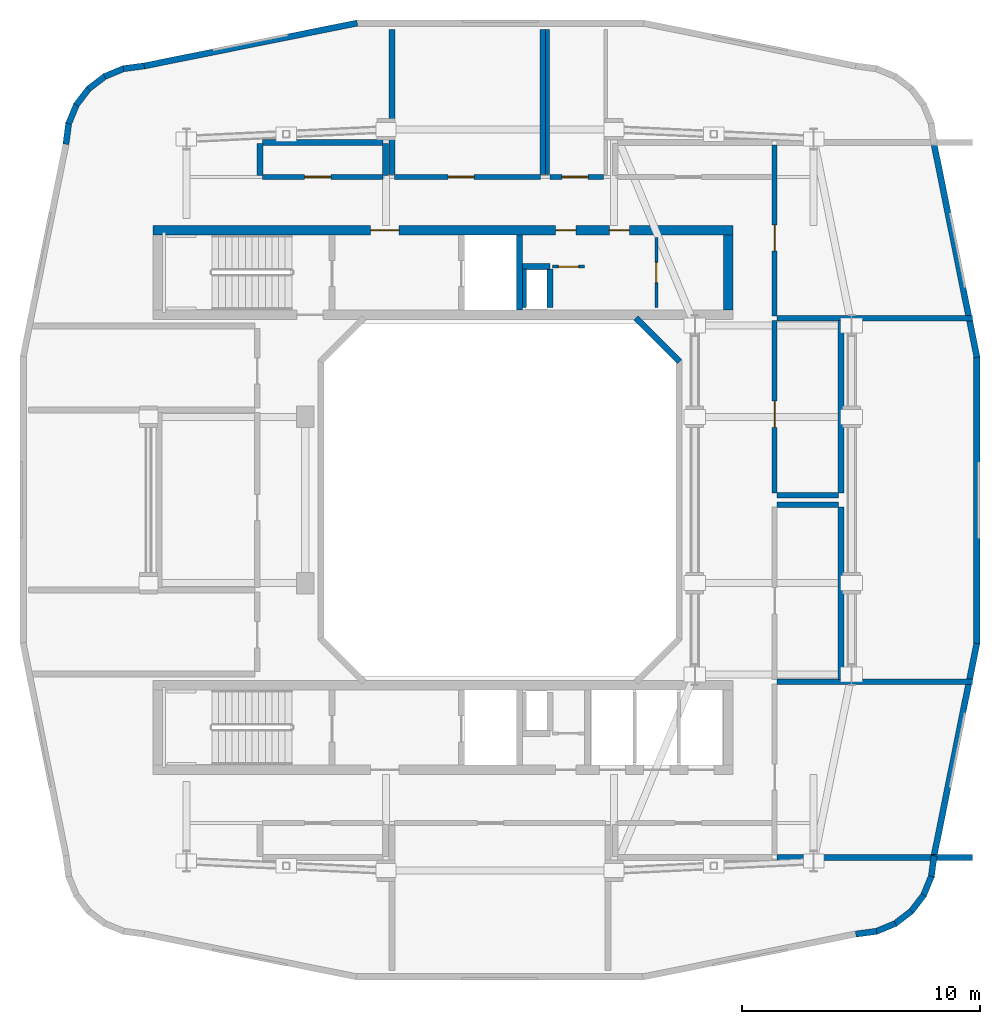
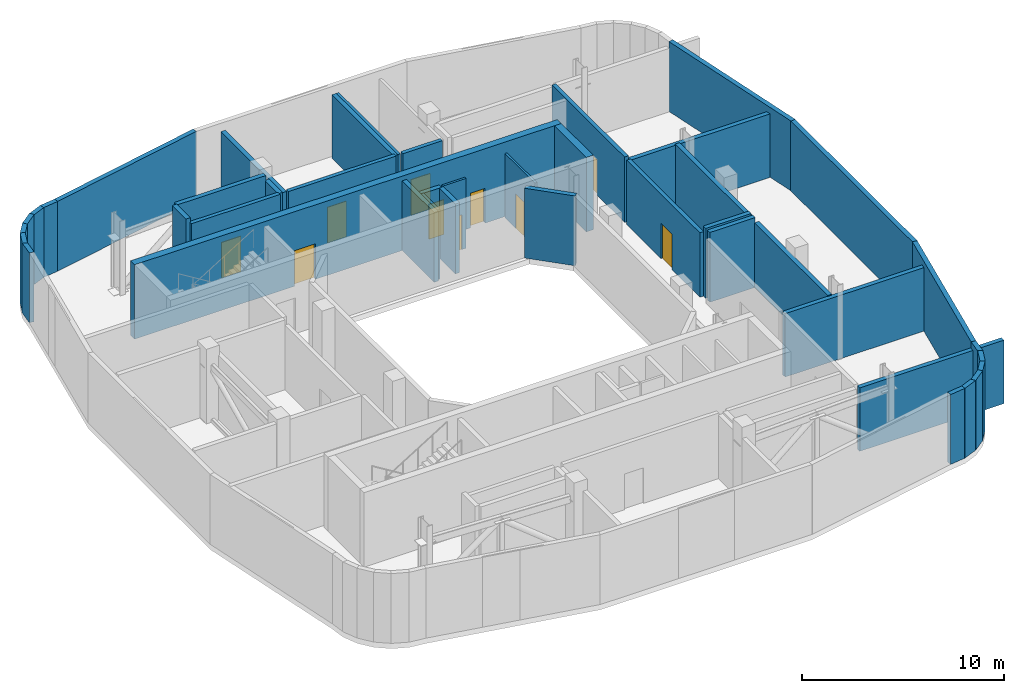
# One storey, part 5 of 9: 43 walls, 10 doors, 10 openings.
"""IFC4 building model written with IfcOpenShell, lengths in metres."""

import ifcopenshell
import ifcopenshell.guid

model = None  # the IFC model being written
_history = None  # IfcOwnerHistory: only IFC2X3 demands one
_inside = {}  # id of a spatial element -> (the spatial element, [elements in it])
_under = {}  # id of a project, library or spatial element -> (it, [spatial elements below it])
_declared = {}  # id of a project -> (the project, [libraries it declares])
_typed = {}  # id of a type object -> (the type object, [elements of that type])
_made_of = {}  # id of a material, layer set ... -> (it, [elements and type objects made of it])


def new_model(schema):
    """Start an empty IFC model of exactly this schema.

    Asked for "IFC4X3", IfcOpenShell would pick the latest addendum, in which some entities
    have other attributes; the version numbers below select the first issue.
    IFC2X3 requires an IfcOwnerHistory on every rooted entity: one is made here for all.
    """
    global model, _history
    if schema == "IFC4X3":
        model = ifcopenshell.file(schema_version=(4, 3, 0, 0))
    else:
        model = ifcopenshell.file(schema=schema)
    _inside.clear()
    _under.clear()
    _declared.clear()
    _typed.clear()
    _made_of.clear()
    _history = None
    if model.schema == "IFC2X3":
        org = make("IfcOrganization", Name="unknown")
        user = make(
            "IfcPersonAndOrganization",
            ThePerson=make("IfcPerson", FamilyName="unknown"),
            TheOrganization=org,
        )
        app = make(
            "IfcApplication",
            ApplicationDeveloper=org,
            Version="unknown",
            ApplicationFullName="unknown",
            ApplicationIdentifier="unknown",
        )
        _history = make(
            "IfcOwnerHistory",
            OwningUser=user,
            OwningApplication=app,
            ChangeAction="ADDED",
            CreationDate=0,
        )
    return model


def make(cls, **values):
    """One entity of the class cls with the attributes given. An attribute that is None is left unset."""
    return model.create_entity(
        cls, **{name: value for name, value in values.items() if value is not None}
    )


def rooted(cls, **values):
    """An entity with a GlobalId (a new one), such as an element, a storey or a relation."""
    return make(cls, GlobalId=ifcopenshell.guid.new(), OwnerHistory=_history, **values)


def si_unit(unit_type, name, prefix=None):
    """IfcSIUnit, for example si_unit("LENGTHUNIT", "METRE", prefix="MILLI")."""
    return make("IfcSIUnit", UnitType=unit_type, Prefix=prefix, Name=name)


def derived_unit(unit_type, elements):
    """IfcDerivedUnit: a product of units, each with its exponent."""
    return make(
        "IfcDerivedUnit",
        Elements=[
            make("IfcDerivedUnitElement", Unit=unit, Exponent=power)
            for unit, power in elements
        ],
        UnitType=unit_type,
    )


def assignment(units):
    """IfcUnitAssignment: the units of a project."""
    return None if units is None else make("IfcUnitAssignment", Units=units)


def point(xyz):
    """IfcCartesianPoint."""
    return None if xyz is None else make("IfcCartesianPoint", Coordinates=xyz)


def direction(xyz):
    """IfcDirection."""
    return None if xyz is None else make("IfcDirection", DirectionRatios=xyz)


def frame(location, z_axis=None, x_axis=None):
    """IfcAxis2Placement3D, a coordinate frame: its origin and axes. An axis left out is left unset."""
    return make(
        "IfcAxis2Placement3D",
        Location=point(location),
        Axis=direction(z_axis),
        RefDirection=direction(x_axis),
    )


def frame_2d(location, x_axis=None):
    """IfcAxis2Placement2D, a coordinate frame in the plane: its origin and x axis."""
    return make(
        "IfcAxis2Placement2D", Location=point(location), RefDirection=direction(x_axis)
    )


def origin():
    """The frame at (0, 0, 0) with its axes left unset."""
    return frame((0.0, 0.0, 0.0))


def place(relative_to, where):
    """IfcLocalPlacement: puts the frame where relative to a parent placement (None: the world)."""
    return make(
        "IfcLocalPlacement", PlacementRelTo=relative_to, RelativePlacement=where
    )


def context(
    kind, dimensions, precision=None, world=None, true_north=None, identifier=None
):
    """IfcGeometricRepresentationContext, for example the 3D "Model" context."""
    return make(
        "IfcGeometricRepresentationContext",
        ContextIdentifier=identifier,
        ContextType=kind,
        CoordinateSpaceDimension=dimensions,
        Precision=precision,
        WorldCoordinateSystem=world,
        TrueNorth=true_north,
    )


def subcontext(parent, identifier, kind, view, scale=None):
    """IfcGeometricRepresentationSubContext, for example "Body" below "Model"."""
    return make(
        "IfcGeometricRepresentationSubContext",
        ContextIdentifier=identifier,
        ContextType=kind,
        ParentContext=parent,
        TargetScale=scale,
        TargetView=view,
    )


def project(units=None, contexts=None):
    """IfcProject with its units and contexts."""
    return rooted(
        "IfcProject",
        Name="project",
        RepresentationContexts=contexts,
        UnitsInContext=assignment(units),
    )


def spatial(cls, under=None, at=None, **own):
    """A site, building, storey or space (cls), placed at a placement, below another one or the project."""
    s = rooted(cls, ObjectPlacement=at, **own)
    if under is not None:
        _under.setdefault(under.id(), (under, []))[1].append(s)
    return s


def profile(cls, at=None, kind="AREA", **sizes):
    """A parametric profile (cls). Its sizes go by their IFC names, for example OverallWidth=200.0."""
    return make(cls, ProfileType=kind, Position=at, **sizes)


def rectangle(**sizes):
    """IfcRectangleProfileDef."""
    return profile("IfcRectangleProfileDef", **sizes)


def extrude(swept, where, along, depth):
    """IfcExtrudedAreaSolid: the profile swept, set in the frame where, extruded along a direction by depth."""
    return make(
        "IfcExtrudedAreaSolid",
        SweptArea=swept,
        Position=where,
        ExtrudedDirection=direction(along),
        Depth=depth,
    )


def shape(context_of_items, identifier, shape_type, items):
    """IfcShapeRepresentation: the items that make up one representation, for example the "Body"."""
    return make(
        "IfcShapeRepresentation",
        ContextOfItems=context_of_items,
        RepresentationIdentifier=identifier,
        RepresentationType=shape_type,
        Items=items,
    )


def material(Name=None, Category=None):
    """IfcMaterial."""
    return make("IfcMaterial", Name=Name, Category=Category)


def layer(
    of_material, thickness, ventilated=None, Name=None, Category=None, Priority=None
):
    """IfcMaterialLayer: one layer of a wall or slab, of a material (None: an air gap)."""
    return make(
        "IfcMaterialLayer",
        Material=of_material,
        LayerThickness=thickness,
        IsVentilated=ventilated,
        Name=Name,
        Category=Category,
        Priority=Priority,
    )


def layer_set(layers, Name=None):
    """IfcMaterialLayerSet."""
    return make("IfcMaterialLayerSet", MaterialLayers=layers, LayerSetName=Name)


def made_of(thing, what):
    """Note that an element or type object is made of a material, layer set ...; save() writes the relation."""
    if what is not None:
        _made_of.setdefault(what.id(), (what, []))[1].append(thing)
    return thing


def type_object(cls, material=None, **own):
    """A type object (cls), such as IfcWallType, which elements share."""
    return made_of(rooted(cls, **own), material)


def element(
    cls,
    number,
    at=None,
    inside=None,
    cuts=None,
    type_object=None,
    material=None,
    context=None,
    identifier="Body",
    shape_type=None,
    held_by="IfcProductDefinitionShape",
    body=None,
    shapes=None,
    **own,
):
    """One element of the class cls, such as IfcWall. Its Tag is "e" and its number.

    at: its placement. inside: the storey or other place that contains it. cuts: it is an
    opening in that element (IfcRelVoidsElement). A single representation is given by context,
    identifier, shape_type and body (its items); several are given by shapes. held_by: the class
    of the entity that holds the representations. save() writes the other relations.
    """
    e = rooted(cls, Tag="e%d" % number, ObjectPlacement=at, **own)
    if body is not None:
        shapes = [shape(context, identifier, shape_type, body)]
    if shapes is not None:
        e.Representation = make(held_by, Representations=shapes)
    if inside is not None:
        _inside.setdefault(inside.id(), (inside, []))[1].append(e)
    if cuts is not None:
        rooted(
            "IfcRelVoidsElement", RelatingBuildingElement=cuts, RelatedOpeningElement=e
        )
    if type_object is not None:
        _typed.setdefault(type_object.id(), (type_object, []))[1].append(e)
    return made_of(e, material)


def fill(opening, filler):
    """IfcRelFillsElement: the door or window that sits in an opening."""
    return rooted(
        "IfcRelFillsElement",
        RelatingOpeningElement=opening,
        RelatedBuildingElement=filler,
    )


def aggregate(whole, parts):
    """IfcRelAggregates: a whole, such as a stair, and the parts it consists of."""
    return rooted("IfcRelAggregates", RelatingObject=whole, RelatedObjects=parts)


def save(model, path):
    """Write the relations noted so far, then the file.

    IfcRelAggregates (storeys below a building ...), IfcRelContainedInSpatialStructure (elements
    in a storey), IfcRelDefinesByType, IfcRelAssociatesMaterial and IfcRelDeclares: one each for
    every whole, place, type object, material and project.
    """
    for whole, parts in _under.values():
        aggregate(whole, parts)
    for where, things in _inside.values():
        rooted(
            "IfcRelContainedInSpatialStructure",
            RelatedElements=things,
            RelatingStructure=where,
        )
    for kind, things in _typed.values():
        rooted("IfcRelDefinesByType", RelatedObjects=things, RelatingType=kind)
    for what, things in _made_of.values():
        rooted("IfcRelAssociatesMaterial", RelatedObjects=things, RelatingMaterial=what)
    for by, libraries in _declared.values():
        rooted("IfcRelDeclares", RelatingContext=by, RelatedDefinitions=libraries)
    model.write(path)


model = new_model("IFC4")

# Units and contexts
model_context = context("Model", 3, precision=1e-05, world=origin(), true_north=direction((0.0, 1.0)))
body_context = subcontext(model_context, "Body", "Model", "MODEL_VIEW")
ifc_project = project(units=[si_unit("LENGTHUNIT", "METRE"), si_unit("AREAUNIT", "SQUARE_METRE"), si_unit("VOLUMEUNIT", "CUBIC_METRE"), si_unit("PLANEANGLEUNIT", "RADIAN"), si_unit("MASSUNIT", "GRAM", prefix="KILO"), derived_unit("THERMALTRANSMITTANCEUNIT", [(si_unit("POWERUNIT", "WATT"), 1), (si_unit("LENGTHUNIT", "METRE"), -2), (si_unit("THERMODYNAMICTEMPERATUREUNIT", "KELVIN"), -1)])], contexts=[model_context])

# Site, building, storey
site_placement = place(None, origin())
site = spatial("IfcSite", under=ifc_project, at=site_placement, CompositionType="ELEMENT")
building_placement = place(site_placement, origin())
building = spatial("IfcBuilding", under=site, at=building_placement, Name="Kivonza Crest Hotel", CompositionType="ELEMENT")
storey_placement = place(building_placement, frame((0.0, 0.0, 173.0)))
storey = spatial("IfcBuildingStorey", under=building, at=storey_placement, Name="L47", CompositionType="ELEMENT", Elevation=173.0)

# Wall, opening, door
ifc_material_1 = material(Name="Autoclaved aerated concrete blockwork", Category="masonry")
ifc_layer_1 = layer(ifc_material_1, 0.219970703125)
ifc_layer_set_1 = layer_set([ifc_layer_1], Name="Autoclaved aerated concrete blockwork")
wall_type_1 = type_object("IfcWallType", Name="WL-ACOU-220", PredefinedType="SOLIDWALL", material=ifc_layer_set_1)
wall_1_placement = place(storey_placement, frame((16.550048828125, 38.60009765625, 0.0), z_axis=(0.0, 0.0, 1.0), x_axis=(1.0, 0.0, 0.0)))
wall_1 = element("IfcWall", 1, at=wall_1_placement, inside=storey, type_object=wall_type_1, Name="L47 interior partition WA-L47-REF-N-S", PredefinedType="SOLIDWALL", context=body_context, shape_type="SweptSolid", body=[
    extrude(rectangle(XDim=6.14990234375, YDim=0.219970703125, at=frame_2d((3.074951171875, 0.0))), origin(), (0.0, 0.0, 1.0), 3.955078125),
])
opening_1_placement = place(wall_1_placement, frame((2.262939453125, 0.0, 0.0)))
opening_1 = element("IfcOpeningElement", 2, at=opening_1_placement, cuts=wall_1, Name="Opening DF-120", PredefinedType="OPENING", context=body_context, shape_type="SweptSolid", body=[
    extrude(rectangle(XDim=1.10009765625, YDim=2.14990234375, at=frame_2d((0.550048828125, 1.074951171875))), frame((0.0, 0.1201171875, 0.0), z_axis=(0.0, -1.0, 0.0), x_axis=(1.0, 0.0, 0.0)), (0.0, 0.0, 1.0), 0.239990234375),
])
ifc_material_2 = material(Name="Galvanised steel", Category="steel")
door_type_1 = type_object("IfcDoorType", Name="DR-FD120-1100", OperationType="NOTDEFINED", PredefinedType="DOOR", material=ifc_material_2)
door_1_placement = place(opening_1_placement, origin())
door_1 = element("IfcDoor", 3, at=door_1_placement, inside=storey, type_object=door_type_1, Name="L47 North Protected Refuge Area door", OperationType="SINGLE_SWING_LEFT", OverallHeight=2.14990234375, OverallWidth=1.10009765625, PredefinedType="DOOR", context=body_context, shape_type="SweptSolid", body=[
    extrude(rectangle(XDim=1.10009765625, YDim=2.14990234375, at=frame_2d((0.550048828125, 1.074951171875))), frame((0.0, 0.02490234375, 0.0), z_axis=(0.0, -1.0, 0.0), x_axis=(1.0, 0.0, 0.0)), (0.0, 0.0, 1.0), 0.050048828125),
])
fill(opening_1, door_1)

wall_2_placement = place(storey_placement, frame((23.10009765625, 38.60009765625, 0.0), z_axis=(0.0, 0.0, 1.0), x_axis=(1.0, 0.0, 0.0)))
wall_2 = element("IfcWall", 4, at=wall_2_placement, inside=storey, type_object=wall_type_1, Name="L47 interior partition WA-L47-REF-WC-S", PredefinedType="SOLIDWALL", context=body_context, shape_type="SweptSolid", body=[
    extrude(rectangle(XDim=2.25, YDim=0.219970703125, at=frame_2d((1.125, 0.0))), origin(), (0.0, 0.0, 1.0), 3.955078125),
])
opening_2_placement = place(wall_2_placement, frame((0.507080078125, 0.0, 0.0)))
opening_2 = element("IfcOpeningElement", 5, at=opening_2_placement, cuts=wall_2, Name="Opening DF-120", PredefinedType="OPENING", context=body_context, shape_type="SweptSolid", body=[
    extrude(rectangle(XDim=1.10009765625, YDim=2.14990234375, at=frame_2d((0.550048828125, 1.074951171875))), frame((0.0, 0.1201171875, 0.0), z_axis=(0.0, -1.0, 0.0), x_axis=(1.0, 0.0, 0.0)), (0.0, 0.0, 1.0), 0.239990234375),
])
door_2_placement = place(opening_2_placement, origin())
door_2 = element("IfcDoor", 6, at=door_2_placement, inside=storey, type_object=door_type_1, Name="L47 Refuge Accessible WC door", OperationType="SINGLE_SWING_RIGHT", OverallHeight=2.14990234375, OverallWidth=1.10009765625, PredefinedType="DOOR", context=body_context, shape_type="SweptSolid", body=[
    extrude(rectangle(XDim=1.10009765625, YDim=2.14990234375, at=frame_2d((0.550048828125, 1.074951171875))), frame((0.0, 0.02490234375, 0.0), z_axis=(0.0, -1.0, 0.0), x_axis=(1.0, 0.0, 0.0)), (0.0, 0.0, 1.0), 0.050048828125),
])
fill(opening_2, door_2)

wall_3_placement = place(storey_placement, frame((11.0, 38.60009765625, 0.0), z_axis=(0.0, 0.0, 1.0), x_axis=(1.0, 0.0, 0.0)))
wall_3 = element("IfcWall", 7, at=wall_3_placement, inside=storey, type_object=wall_type_1, Name="L47 interior partition WA-L47-PL-MNW-S", PredefinedType="SOLIDWALL", context=body_context, shape_type="SweptSolid", body=[
    extrude(rectangle(XDim=5.080078125, YDim=0.219970703125, at=frame_2d((2.5400390625, 0.0))), origin(), (0.0, 0.0, 1.0), 3.955078125),
])
opening_3_placement = place(wall_3_placement, frame((1.781005859375, 0.0, 0.0)))
opening_3 = element("IfcOpeningElement", 8, at=opening_3_placement, cuts=wall_3, Name="Opening DF-120", PredefinedType="OPENING", context=body_context, shape_type="SweptSolid", body=[
    extrude(rectangle(XDim=1.10009765625, YDim=2.14990234375, at=frame_2d((0.550048828125, 1.074951171875))), frame((0.0, 0.1201171875, 0.0), z_axis=(0.0, -1.0, 0.0), x_axis=(1.0, 0.0, 0.0)), (0.0, 0.0, 1.0), 0.239990234375),
])
door_3_placement = place(opening_3_placement, origin())
door_3 = element("IfcDoor", 9, at=door_3_placement, inside=storey, type_object=door_type_1, Name="L47 North-West Exhaust Plant Room door", OperationType="SINGLE_SWING_RIGHT", OverallHeight=2.14990234375, OverallWidth=1.10009765625, PredefinedType="DOOR", context=body_context, shape_type="SweptSolid", body=[
    extrude(rectangle(XDim=1.10009765625, YDim=2.14990234375, at=frame_2d((0.550048828125, 1.074951171875))), frame((0.0, 0.02490234375, 0.0), z_axis=(0.0, -1.0, 0.0), x_axis=(1.0, 0.0, 0.0)), (0.0, 0.0, 1.0), 0.050048828125),
])
fill(opening_3, door_3)

wall_4_placement = place(storey_placement, frame((32.56005859375, 25.300048828125, 0.0), z_axis=(0.0, 0.0, 1.0), x_axis=(0.0, 1.0, 0.0)))
wall_4 = element("IfcWall", 10, at=wall_4_placement, inside=storey, type_object=wall_type_1, Name="L47 interior partition WA-L47-PL-SWG-W", PredefinedType="SOLIDWALL", context=body_context, shape_type="SweptSolid", body=[
    extrude(rectangle(XDim=7.25, YDim=0.219970703125, at=frame_2d((3.625, 0.0))), origin(), (0.0, 0.0, 1.0), 3.89501953125),
])
opening_4_placement = place(wall_4_placement, frame((2.757080078125, 0.0, 0.0)))
opening_4 = element("IfcOpeningElement", 11, at=opening_4_placement, cuts=wall_4, Name="Opening DF-120", PredefinedType="OPENING", context=body_context, shape_type="SweptSolid", body=[
    extrude(rectangle(XDim=1.10009765625, YDim=2.14990234375, at=frame_2d((0.550048828125, 1.074951171875))), frame((0.0, 0.1201171875, 0.0), z_axis=(0.0, -1.0, 0.0), x_axis=(1.0, 0.0, 0.0)), (0.0, 0.0, 1.0), 0.239990234375),
])
door_4_placement = place(opening_4_placement, frame((1.10009765625, 0.0, 0.0), z_axis=(0.0, 0.0, 1.0), x_axis=(-1.0, 0.0, 0.0)))
door_4 = element("IfcDoor", 12, at=door_4_placement, inside=storey, type_object=door_type_1, Name="L47 High-Zone Electrical Switchroom door", OperationType="SINGLE_SWING_RIGHT", OverallHeight=2.14990234375, OverallWidth=1.10009765625, PredefinedType="DOOR", context=body_context, shape_type="SweptSolid", body=[
    extrude(rectangle(XDim=1.10009765625, YDim=2.14990234375, at=frame_2d((0.550048828125, 1.074951171875))), frame((0.0, 0.02490234375, 0.0), z_axis=(0.0, -1.0, 0.0), x_axis=(1.0, 0.0, 0.0)), (0.0, 0.0, 1.0), 0.050048828125),
])
fill(opening_4, door_4)

wall_5_placement = place(storey_placement, frame((32.56005859375, 32.75, 0.0), z_axis=(0.0, 0.0, 1.0), x_axis=(0.0, 1.0, 0.0)))
wall_5 = element("IfcWall", 13, at=wall_5_placement, inside=storey, type_object=wall_type_1, Name="L47 interior partition WA-L47-PL-ESTN-W", PredefinedType="SOLIDWALL", context=body_context, shape_type="SweptSolid", body=[
    extrude(rectangle(XDim=7.199951171875, YDim=0.219970703125, at=frame_2d((3.60009765625, 0.0))), origin(), (0.0, 0.0, 1.0), 3.955078125),
])
opening_5_placement = place(wall_5_placement, frame((2.735107421875, 0.0, 0.0)))
opening_5 = element("IfcOpeningElement", 14, at=opening_5_placement, cuts=wall_5, Name="Opening DF-120", PredefinedType="OPENING", context=body_context, shape_type="SweptSolid", body=[
    extrude(rectangle(XDim=1.10009765625, YDim=2.14990234375, at=frame_2d((0.550048828125, 1.074951171875))), frame((0.0, 0.1201171875, 0.0), z_axis=(0.0, -1.0, 0.0), x_axis=(1.0, 0.0, 0.0)), (0.0, 0.0, 1.0), 0.239990234375),
])
door_5_placement = place(opening_5_placement, frame((1.10009765625, 0.0, 0.0), z_axis=(0.0, 0.0, 1.0), x_axis=(-1.0, 0.0, 0.0)))
door_5 = element("IfcDoor", 15, at=door_5_placement, inside=storey, type_object=door_type_1, Name="L47 North-East Portal Fan Plant Room door", OperationType="SINGLE_SWING_RIGHT", OverallHeight=2.14990234375, OverallWidth=1.10009765625, PredefinedType="DOOR", context=body_context, shape_type="SweptSolid", body=[
    extrude(rectangle(XDim=1.10009765625, YDim=2.14990234375, at=frame_2d((0.550048828125, 1.074951171875))), frame((0.0, 0.02490234375, 0.0), z_axis=(0.0, -1.0, 0.0), x_axis=(1.0, 0.0, 0.0)), (0.0, 0.0, 1.0), 0.050048828125),
])
fill(opening_5, door_5)

# Wall, openings, doors
ifc_material_3 = material(Name="Concrete C50/60", Category="concrete")
ifc_layer_2 = layer(ifc_material_3, 0.39990234375)
ifc_layer_set_2 = layer_set([ifc_layer_2], Name="Concrete C50/60")
wall_type_2 = type_object("IfcWallType", Name="WL-CORE-400", PredefinedType="SHEAR", material=ifc_layer_set_2)
wall_6_placement = place(storey_placement, frame((6.39990234375, 36.360107421875, 0.0), z_axis=(0.0, 0.0, 1.0), x_axis=(1.0, 0.0, 0.0)))
wall_6 = element("IfcWall", 16, at=wall_6_placement, inside=storey, type_object=wall_type_2, Name="Core wall T1-N North L47", PredefinedType="SHEAR", context=body_context, shape_type="SweptSolid", body=[
    extrude(rectangle(XDim=24.400146484375, YDim=0.39990234375, at=frame_2d((12.2001953125, 0.0))), origin(), (0.0, 0.0, 1.0), 4.5),
])
opening_6_placement = place(wall_6_placement, frame((9.14990234375, 0.0, 0.0)))
opening_6 = element("IfcOpeningElement", 17, at=opening_6_placement, cuts=wall_6, Name="Opening DF-60", PredefinedType="OPENING", context=body_context, shape_type="SweptSolid", body=[
    extrude(rectangle(XDim=1.199951171875, YDim=2.14990234375, at=frame_2d((0.60009765625, 1.074951171875))), frame((0.0, 0.2099609375, 0.0), z_axis=(0.0, -1.0, 0.0), x_axis=(1.0, 0.0, 0.0)), (0.0, 0.0, 1.0), 0.419921875),
])
opening_7_placement = place(wall_6_placement, frame((19.199951171875, 0.0, 0.0)))
opening_7 = element("IfcOpeningElement", 18, at=opening_7_placement, cuts=wall_6, Name="Opening DF-60R", PredefinedType="OPENING", context=body_context, shape_type="SweptSolid", body=[
    extrude(rectangle(XDim=0.85009765625, YDim=2.10009765625, at=frame_2d((0.425048828125, 1.050048828125))), frame((0.0, 0.2099609375, 0.0), z_axis=(0.0, -1.0, 0.0), x_axis=(1.0, 0.0, 0.0)), (0.0, 0.0, 1.0), 0.419921875),
])
opening_8_placement = place(wall_6_placement, frame((16.93994140625, 0.0, 0.0)))
opening_8 = element("IfcOpeningElement", 19, at=opening_8_placement, cuts=wall_6, Name="Opening DF-60R", PredefinedType="OPENING", context=body_context, shape_type="SweptSolid", body=[
    extrude(rectangle(XDim=0.85009765625, YDim=2.10009765625, at=frame_2d((0.425048828125, 1.050048828125))), frame((0.0, 0.2099609375, 0.0), z_axis=(0.0, -1.0, 0.0), x_axis=(1.0, 0.0, 0.0)), (0.0, 0.0, 1.0), 0.419921875),
])
ifc_material_4 = material(Name="Hardwood timber oak", Category="wood")
door_type_2 = type_object("IfcDoorType", Name="DR-FD60-1200", OperationType="NOTDEFINED", PredefinedType="DOOR", material=ifc_material_4)
door_6_placement = place(opening_6_placement, origin())
door_6 = element("IfcDoor", 20, at=door_6_placement, inside=storey, type_object=door_type_2, Name="L47 T1-N firefighting lobby fire door", OperationType="SINGLE_SWING_RIGHT", OverallHeight=2.14990234375, OverallWidth=1.199951171875, PredefinedType="DOOR", context=body_context, shape_type="SweptSolid", body=[
    extrude(rectangle(XDim=1.199951171875, YDim=2.14990234375, at=frame_2d((0.60009765625, 1.074951171875))), frame((0.0, 0.02490234375, 0.0), z_axis=(0.0, -1.0, 0.0), x_axis=(1.0, 0.0, 0.0)), (0.0, 0.0, 1.0), 0.050048828125),
])
fill(opening_6, door_6)
door_type_3 = type_object("IfcDoorType", Name="DR-FD60-850", OperationType="NOTDEFINED", PredefinedType="DOOR", material=ifc_material_4)
door_7_placement = place(opening_7_placement, origin())
door_7 = element("IfcDoor", 21, at=door_7_placement, inside=storey, type_object=door_type_3, Name="L47 T1-N reclaimed core service door", OperationType="SINGLE_SWING_LEFT", OverallHeight=2.10009765625, OverallWidth=0.85009765625, PredefinedType="DOOR", context=body_context, shape_type="SweptSolid", body=[
    extrude(rectangle(XDim=0.85009765625, YDim=2.10009765625, at=frame_2d((0.425048828125, 1.050048828125))), frame((0.0, 0.02490234375, 0.0), z_axis=(0.0, -1.0, 0.0), x_axis=(1.0, 0.0, 0.0)), (0.0, 0.0, 1.0), 0.050048828125),
])
fill(opening_7, door_7)
door_8_placement = place(opening_8_placement, origin())
door_8 = element("IfcDoor", 22, at=door_8_placement, inside=storey, type_object=door_type_3, Name="L47 T1-N core room door", OperationType="SINGLE_SWING_RIGHT", OverallHeight=2.10009765625, OverallWidth=0.85009765625, PredefinedType="DOOR", context=body_context, shape_type="SweptSolid", body=[
    extrude(rectangle(XDim=0.85009765625, YDim=2.10009765625, at=frame_2d((0.425048828125, 1.050048828125))), frame((0.0, 0.02490234375, 0.0), z_axis=(0.0, -1.0, 0.0), x_axis=(1.0, 0.0, 0.0)), (0.0, 0.0, 1.0), 0.050048828125),
])
fill(opening_8, door_8)

# Walls
wall_7_placement = place(storey_placement, frame((30.60009765625, 33.0, 0.0), z_axis=(0.0, 0.0, 1.0), x_axis=(0.0, 1.0, 0.0)))
element("IfcWall", 23, at=wall_7_placement, inside=storey, type_object=wall_type_2, Name="Core wall T1-N East L47", PredefinedType="SHEAR", context=body_context, shape_type="SweptSolid", body=[
    extrude(rectangle(XDim=3.159912109375, YDim=0.39990234375, at=frame_2d((1.580078125, 0.0))), origin(), (0.0, 0.0, 1.0), 4.5),
])
ifc_material_5 = material(Name="Precast concrete C40/50", Category="concrete")
ifc_layer_3 = layer(ifc_material_5, 0.260009765625)
ifc_layer_set_3 = layer_set([ifc_layer_3], Name="Precast concrete C40/50")
wall_type_3 = type_object("IfcWallType", Name="WL-EXT-260", PredefinedType="STANDARD", material=ifc_layer_set_3)
wall_8_placement = place(storey_placement, frame((35.97509765625, 6.72802734375, 0.0), z_axis=(0.0, 0.0, 1.0), x_axis=(0.991388484223, 0.130953706898, 0.0)))
element("IfcWall", 24, at=wall_8_placement, inside=storey, type_object=wall_type_3, Name="L47 T1 exterior insulated wall 10", PredefinedType="STANDARD", context=body_context, shape_type="SweptSolid", body=[
    extrude(rectangle(XDim=0.885498046875, YDim=0.260009765625, at=frame_2d((0.44287109375, 0.0))), origin(), (0.0, 0.0, 1.0), 4.219970703125),
])
wall_9_placement = place(storey_placement, frame((36.806884765625, 6.825927734375, 0.0), z_axis=(0.0, 0.0, 1.0), x_axis=(0.923627776508, 0.383290660547, 0.0)))
element("IfcWall", 25, at=wall_9_placement, inside=storey, type_object=wall_type_3, Name="L47 T1 exterior insulated wall 11", PredefinedType="STANDARD", context=body_context, shape_type="SweptSolid", body=[
    extrude(rectangle(XDim=0.9033203125, YDim=0.260009765625, at=frame_2d((0.45166015625, 0.0))), origin(), (0.0, 0.0, 1.0), 4.219970703125),
])
wall_10_placement = place(storey_placement, frame((37.60107421875, 7.14404296875, 0.0), z_axis=(0.0, 0.0, 1.0), x_axis=(0.793458244748, 0.608624690463, 0.0)))
element("IfcWall", 26, at=wall_10_placement, inside=storey, type_object=wall_type_3, Name="L47 T1 exterior insulated wall 12", PredefinedType="STANDARD", context=body_context, shape_type="SweptSolid", body=[
    extrude(rectangle(XDim=0.902099609375, YDim=0.260009765625, at=frame_2d((0.451171875, 0.0))), origin(), (0.0, 0.0, 1.0), 4.219970703125),
])
wall_11_placement = place(storey_placement, frame((38.285888671875, 7.655029296875, 0.0), z_axis=(0.0, 0.0, 1.0), x_axis=(0.608494022858, 0.793558456666, 0.0)))
element("IfcWall", 27, at=wall_11_placement, inside=storey, type_object=wall_type_3, Name="L47 T1 exterior insulated wall 13", PredefinedType="STANDARD", context=body_context, shape_type="SweptSolid", body=[
    extrude(rectangle(XDim=0.90234375, YDim=0.260009765625, at=frame_2d((0.451171875, 0.0))), origin(), (0.0, 0.0, 1.0), 4.219970703125),
])
wall_12_placement = place(storey_placement, frame((38.81396484375, 8.326904296875, 0.0), z_axis=(0.0, 0.0, 1.0), x_axis=(0.383155708213, 0.923683767999, 0.0)))
element("IfcWall", 28, at=wall_12_placement, inside=storey, type_object=wall_type_3, Name="L47 T1 exterior insulated wall 14", PredefinedType="STANDARD", context=body_context, shape_type="SweptSolid", body=[
    extrude(rectangle(XDim=0.90283203125, YDim=0.260009765625, at=frame_2d((0.451416015625, 0.0))), origin(), (0.0, 0.0, 1.0), 4.219970703125),
])
wall_13_placement = place(storey_placement, frame((39.152099609375, 9.112060546875, 0.0), z_axis=(0.0, 0.0, 1.0), x_axis=(0.130200706103, 0.991487658083, 0.0)))
element("IfcWall", 29, at=wall_13_placement, inside=storey, type_object=wall_type_3, Name="L47 T1 exterior insulated wall 15", PredefinedType="STANDARD", context=body_context, shape_type="SweptSolid", body=[
    extrude(rectangle(XDim=0.920654296875, YDim=0.260009765625, at=frame_2d((0.46044921875, 0.0))), origin(), (0.0, 0.0, 1.0), 4.219970703125),
])
wall_14_placement = place(storey_placement, frame((39.27099609375, 10.01806640625, 0.0), z_axis=(0.0, 0.0, 1.0), x_axis=(0.197429077186, 0.980317172899, 0.0)))
element("IfcWall", 30, at=wall_14_placement, inside=storey, type_object=wall_type_3, Name="L47 T1 exterior insulated wall 16", PredefinedType="STANDARD", context=body_context, shape_type="SweptSolid", body=[
    extrude(rectangle(XDim=9.117431640625, YDim=0.260009765625, at=frame_2d((4.55859375, 0.0))), origin(), (0.0, 0.0, 1.0), 4.219970703125),
])
wall_15_placement = place(storey_placement, frame((41.070068359375, 18.9150390625, 0.0), z_axis=(0.0, 0.0, 1.0), x_axis=(0.0, 1.0, 0.0)))
element("IfcWall", 31, at=wall_15_placement, inside=storey, type_object=wall_type_3, Name="L47 T1 exterior insulated wall 17", PredefinedType="STANDARD", context=body_context, shape_type="SweptSolid", body=[
    extrude(rectangle(XDim=12.135009765625, YDim=0.260009765625, at=frame_2d((6.0673828125, 0.0))), origin(), (0.0, 0.0, 1.0), 4.219970703125),
])
for number, where, z_axis, x_axis, name in (
    (32, (41.077880859375, 31.009033203125, 0.0), (0.0, 0.0, 1.0), (-0.197408590603, 0.980321298532, 0.0), "L47 T1 exterior insulated wall 18"),
    (33, (14.990966796875, 45.077880859375, 0.0), (0.0, 0.0, 1.0), (-0.980321298532, -0.197408590603, 0.0), "L47 T1 exterior insulated wall 27"),
):
    element("IfcWall", number, at=place(storey_placement, frame(where, z_axis=z_axis, x_axis=x_axis)), inside=storey, type_object=wall_type_3, Name=name, PredefinedType="STANDARD", context=body_context, shape_type="SweptSolid", body=[
        extrude(rectangle(XDim=9.153076171875, YDim=0.260009765625, at=frame_2d((4.57666015625, 0.0))), origin(), (0.0, 0.0, 1.0), 4.219970703125),
    ])
wall_16_placement = place(storey_placement, frame((6.02490234375, 43.27197265625, 0.0), z_axis=(0.0, 0.0, 1.0), x_axis=(-0.991388484223, -0.130953706898, 0.0)))
element("IfcWall", 34, at=wall_16_placement, inside=storey, type_object=wall_type_3, Name="L47 T1 exterior insulated wall 28", PredefinedType="STANDARD", context=body_context, shape_type="SweptSolid", body=[
    extrude(rectangle(XDim=0.885498046875, YDim=0.260009765625, at=frame_2d((0.44287109375, 0.0))), origin(), (0.0, 0.0, 1.0), 4.219970703125),
])
wall_17_placement = place(storey_placement, frame((5.193115234375, 43.174072265625, 0.0), z_axis=(0.0, 0.0, 1.0), x_axis=(-0.923627776508, -0.383290660547, 0.0)))
element("IfcWall", 35, at=wall_17_placement, inside=storey, type_object=wall_type_3, Name="L47 T1 exterior insulated wall 29", PredefinedType="STANDARD", context=body_context, shape_type="SweptSolid", body=[
    extrude(rectangle(XDim=0.9033203125, YDim=0.260009765625, at=frame_2d((0.45166015625, 0.0))), origin(), (0.0, 0.0, 1.0), 4.219970703125),
])
wall_18_placement = place(storey_placement, frame((4.39892578125, 42.85595703125, 0.0), z_axis=(0.0, 0.0, 1.0), x_axis=(-0.793458244748, -0.608624690463, 0.0)))
element("IfcWall", 36, at=wall_18_placement, inside=storey, type_object=wall_type_3, Name="L47 T1 exterior insulated wall 30", PredefinedType="STANDARD", context=body_context, shape_type="SweptSolid", body=[
    extrude(rectangle(XDim=0.902099609375, YDim=0.260009765625, at=frame_2d((0.451171875, 0.0))), origin(), (0.0, 0.0, 1.0), 4.219970703125),
])
wall_19_placement = place(storey_placement, frame((3.714111328125, 42.344970703125, 0.0), z_axis=(0.0, 0.0, 1.0), x_axis=(-0.608494022858, -0.793558456666, 0.0)))
element("IfcWall", 37, at=wall_19_placement, inside=storey, type_object=wall_type_3, Name="L47 T1 exterior insulated wall 31", PredefinedType="STANDARD", context=body_context, shape_type="SweptSolid", body=[
    extrude(rectangle(XDim=0.90234375, YDim=0.260009765625, at=frame_2d((0.451171875, 0.0))), origin(), (0.0, 0.0, 1.0), 4.219970703125),
])
wall_20_placement = place(storey_placement, frame((3.18603515625, 41.673095703125, 0.0), z_axis=(0.0, 0.0, 1.0), x_axis=(-0.383155708213, -0.923683767999, 0.0)))
element("IfcWall", 38, at=wall_20_placement, inside=storey, type_object=wall_type_3, Name="L47 T1 exterior insulated wall 32", PredefinedType="STANDARD", context=body_context, shape_type="SweptSolid", body=[
    extrude(rectangle(XDim=0.90283203125, YDim=0.260009765625, at=frame_2d((0.451416015625, 0.0))), origin(), (0.0, 0.0, 1.0), 4.219970703125),
])
wall_21_placement = place(storey_placement, frame((2.847900390625, 40.887939453125, 0.0), z_axis=(0.0, 0.0, 1.0), x_axis=(-0.130200706103, -0.991487658083, 0.0)))
element("IfcWall", 39, at=wall_21_placement, inside=storey, type_object=wall_type_3, Name="L47 T1 exterior insulated wall 33", PredefinedType="STANDARD", context=body_context, shape_type="SweptSolid", body=[
    extrude(rectangle(XDim=0.920654296875, YDim=0.260009765625, at=frame_2d((0.46044921875, 0.0))), origin(), (0.0, 0.0, 1.0), 4.219970703125),
])
wall_22_placement = place(storey_placement, frame((28.555908203125, 30.827880859375, 0.0), z_axis=(0.0, 0.0, 1.0), x_axis=(-0.707059717605, 0.707153841636, 0.0)))
element("IfcWall", 40, at=wall_22_placement, inside=storey, type_object=wall_type_3, Name="L47 T1 light-well exterior wall 4", PredefinedType="STANDARD", context=body_context, shape_type="SweptSolid", body=[
    extrude(rectangle(XDim=2.59375, YDim=0.260009765625, at=frame_2d((1.296875, 0.0))), origin(), (0.0, 0.0, 1.0), 4.219970703125),
])
ifc_material_6 = material(Name="Concrete blockwork fire-compartment wall", Category="masonry")
ifc_layer_4 = layer(ifc_material_6, 0.25)
ifc_layer_set_4 = layer_set([ifc_layer_4], Name="Concrete blockwork fire-compartment wall")
wall_type_4 = type_object("IfcWallType", Name="WL-FIRE-250", PredefinedType="SOLIDWALL", material=ifc_layer_set_4)
wall_23_placement = place(storey_placement, frame((23.10009765625, 33.10009765625, 0.0), z_axis=(0.0, 0.0, 1.0), x_axis=(0.0, 1.0, 0.0)))
element("IfcWall", 41, at=wall_23_placement, inside=storey, type_object=wall_type_4, Name="L47 interior partition WA-L47-T1-N-MEPR-E", PredefinedType="SOLIDWALL", context=body_context, shape_type="SweptSolid", body=[
    extrude(rectangle(XDim=1.619873046875, YDim=0.25, at=frame_2d((0.81005859375, 0.0))), origin(), (0.0, 0.0, 1.0), 4.219970703125),
])
wall_24_placement = place(storey_placement, frame((21.949951171875, 34.820068359375, 0.0), z_axis=(0.0, 0.0, 1.0), x_axis=(1.0, 0.0, 0.0)))
element("IfcWall", 42, at=wall_24_placement, inside=storey, type_object=wall_type_4, Name="L47 interior partition WA-L47-T1-N-MEPR-H", PredefinedType="SOLIDWALL", context=body_context, shape_type="SweptSolid", body=[
    extrude(rectangle(XDim=1.150146484375, YDim=0.25, at=frame_2d((0.5751953125, 0.0))), origin(), (0.0, 0.0, 1.0), 4.219970703125),
])
for number, where, z_axis, x_axis, name in (
    (43, (16.449951171875, 38.699951171875, 0.0), (0.0, 0.0, 1.0), (0.0, 1.0, 0.0), "L47 interior partition WP-L47-REF-N-BW"),
    (44, (22.800048828125, 38.699951171875, 0.0), (0.0, 0.0, 1.0), (0.0, 1.0, 0.0), "L47 interior partition WP-L47-REF-N-BE"),
):
    element("IfcWall", number, at=place(storey_placement, frame(where, z_axis=z_axis, x_axis=x_axis)), inside=storey, type_object=wall_type_4, Name=name, PredefinedType="SOLIDWALL", context=body_context, shape_type="SweptSolid", body=[
        extrude(rectangle(XDim=6.10009765625, YDim=0.25, at=frame_2d((3.050048828125, 0.0))), origin(), (0.0, 0.0, 1.0), 3.8349609375),
    ])
wall_25_placement = place(storey_placement, frame((10.89990234375, 38.64990234375, 0.0), z_axis=(0.0, 0.0, 1.0), x_axis=(0.0, 1.0, 0.0)))
element("IfcWall", 45, at=wall_25_placement, inside=storey, type_object=wall_type_4, Name="L47 interior partition WP-L47-PL-MNW-BW", PredefinedType="SOLIDWALL", context=body_context, shape_type="SweptSolid", body=[
    extrude(rectangle(XDim=1.35009765625, YDim=0.25, at=frame_2d((0.675048828125, 0.0))), origin(), (0.0, 0.0, 1.0), 4.219970703125),
])
wall_26_placement = place(storey_placement, frame((16.179931640625, 38.64990234375, 0.0), z_axis=(0.0, 0.0, 1.0), x_axis=(0.0, 1.0, 0.0)))
element("IfcWall", 46, at=wall_26_placement, inside=storey, type_object=wall_type_4, Name="L47 interior partition WP-L47-PL-MNW-BE", PredefinedType="SOLIDWALL", context=body_context, shape_type="SweptSolid", body=[
    extrude(rectangle(XDim=1.35009765625, YDim=0.25, at=frame_2d((0.675048828125, 0.0))), origin(), (0.0, 0.0, 1.0), 3.89501953125),
])
wall_27_placement = place(storey_placement, frame((11.0, 40.050048828125, 0.0), z_axis=(0.0, 0.0, 1.0), x_axis=(1.0, 0.0, 0.0)))
element("IfcWall", 47, at=wall_27_placement, inside=storey, type_object=wall_type_4, Name="L47 interior partition WP-L47-PL-MNW-BN", PredefinedType="SOLIDWALL", context=body_context, shape_type="SweptSolid", body=[
    extrude(rectangle(XDim=5.080078125, YDim=0.25, at=frame_2d((2.5400390625, 0.0))), origin(), (0.0, 0.0, 1.0), 4.219970703125),
])
wall_28_placement = place(storey_placement, frame((35.35009765625, 17.449951171875, 0.0), z_axis=(0.0, 0.0, 1.0), x_axis=(0.0, 1.0, 0.0)))
element("IfcWall", 48, at=wall_28_placement, inside=storey, type_object=wall_type_4, Name="L47 interior partition WP-L47-PL-HEX-BE", PredefinedType="SOLIDWALL", context=body_context, shape_type="SweptSolid", body=[
    extrude(rectangle(XDim=7.25, YDim=0.25, at=frame_2d((3.625, 0.0))), origin(), (0.0, 0.0, 1.0), 3.89501953125),
])
wall_29_placement = place(storey_placement, frame((32.659912109375, 24.800048828125, 0.0), z_axis=(0.0, 0.0, 1.0), x_axis=(1.0, 0.0, 0.0)))
element("IfcWall", 49, at=wall_29_placement, inside=storey, type_object=wall_type_4, Name="L47 interior partition WP-L47-PL-HEX-BN", PredefinedType="SOLIDWALL", context=body_context, shape_type="SweptSolid", body=[
    extrude(rectangle(XDim=2.590087890625, YDim=0.25, at=frame_2d((1.294921875, 0.0))), origin(), (0.0, 0.0, 1.0), 4.219970703125),
])
wall_30_placement = place(storey_placement, frame((35.35009765625, 25.300048828125, 0.0), z_axis=(0.0, 0.0, 1.0), x_axis=(0.0, 1.0, 0.0)))
element("IfcWall", 50, at=wall_30_placement, inside=storey, type_object=wall_type_4, Name="L47 interior partition WP-L47-PL-SWG-BE", PredefinedType="SOLIDWALL", context=body_context, shape_type="SweptSolid", body=[
    extrude(rectangle(XDim=7.25, YDim=0.25, at=frame_2d((3.625, 0.0))), origin(), (0.0, 0.0, 1.0), 3.89501953125),
])
wall_31_placement = place(storey_placement, frame((32.659912109375, 25.199951171875, 0.0), z_axis=(0.0, 0.0, 1.0), x_axis=(1.0, 0.0, 0.0)))
element("IfcWall", 51, at=wall_31_placement, inside=storey, type_object=wall_type_4, Name="L47 interior partition WP-L47-PL-SWG-BS", PredefinedType="SOLIDWALL", context=body_context, shape_type="SweptSolid", body=[
    extrude(rectangle(XDim=2.590087890625, YDim=0.25, at=frame_2d((1.294921875, 0.0))), origin(), (0.0, 0.0, 1.0), 4.219970703125),
])
for number, where, z_axis, x_axis, name in (
    (52, (32.659912109375, 9.949951171875, 0.0), (0.0, 0.0, 1.0), (1.0, 0.0, 0.0), "L47 interior partition WP-L47-PL-ESTS-BS"),
    (53, (32.659912109375, 17.35009765625, 0.0), (0.0, 0.0, 1.0), (1.0, 0.0, 0.0), "L47 interior partition WP-L47-PL-ESTS-BN"),
    (54, (32.659912109375, 32.64990234375, 0.0), (0.0, 0.0, 1.0), (1.0, 0.0, 0.0), "L47 interior partition WP-L47-PL-ESTN-BS"),
):
    element("IfcWall", number, at=place(storey_placement, frame(where, z_axis=z_axis, x_axis=x_axis)), inside=storey, type_object=wall_type_4, Name=name, PredefinedType="SOLIDWALL", context=body_context, shape_type="SweptSolid", body=[
        extrude(rectangle(XDim=8.239990234375, YDim=0.25, at=frame_2d((4.1201171875, 0.0))), origin(), (0.0, 0.0, 1.0), 3.8349609375),
    ])

# Wall, opening, door
ifc_material_7 = material(Name="Metal-stud gypsum board partition", Category="gypsum")
ifc_layer_5 = layer(ifc_material_7, 0.125)
ifc_layer_set_5 = layer_set([ifc_layer_5], Name="Metal-stud gypsum board partition")
wall_type_5 = type_object("IfcWallType", Name="WL-PART-125", PredefinedType="PARTITIONING", material=ifc_layer_set_5)
wall_32_placement = place(storey_placement, frame((27.580078125, 33.10009765625, 0.0), z_axis=(0.0, 0.0, 1.0), x_axis=(0.0, 1.0, 0.0)))
wall_32 = element("IfcWall", 55, at=wall_32_placement, inside=storey, type_object=wall_type_5, Name="L47 interior partition WP-L47-T1-N-RECL", PredefinedType="PARTITIONING", context=body_context, shape_type="SweptSolid", body=[
    extrude(rectangle(XDim=2.9599609375, YDim=0.125, at=frame_2d((1.47998046875, 0.0))), origin(), (0.0, 0.0, 1.0), 3.89501953125),
])
opening_9_placement = place(wall_32_placement, frame((1.054931640625, 0.0, 0.0)))
opening_9 = element("IfcOpeningElement", 56, at=opening_9_placement, cuts=wall_32, Name="Opening DI-85", PredefinedType="OPENING", context=body_context, shape_type="SweptSolid", body=[
    extrude(rectangle(XDim=0.85009765625, YDim=2.10009765625, at=frame_2d((0.425048828125, 1.050048828125))), frame((0.0, 0.072509765625, 0.0), z_axis=(0.0, -1.0, 0.0), x_axis=(1.0, 0.0, 0.0)), (0.0, 0.0, 1.0), 0.14501953125),
])
door_type_4 = type_object("IfcDoorType", Name="DR-INT-850", OperationType="NOTDEFINED", PredefinedType="DOOR", material=ifc_material_4)
door_9_placement = place(opening_9_placement, origin())
door_9 = element("IfcDoor", 57, at=door_9_placement, inside=storey, type_object=door_type_4, Name="L47 T1-N reclaimed inner pantry door", OperationType="SINGLE_SWING_LEFT", OverallHeight=2.10009765625, OverallWidth=0.85009765625, PredefinedType="DOOR", context=body_context, shape_type="SweptSolid", body=[
    extrude(rectangle(XDim=0.85009765625, YDim=2.10009765625, at=frame_2d((0.425048828125, 1.050048828125))), frame((0.0, 0.02490234375, 0.0), z_axis=(0.0, -1.0, 0.0), x_axis=(1.0, 0.0, 0.0)), (0.0, 0.0, 1.0), 0.050048828125),
])
fill(opening_9, door_9)

wall_33_placement = place(storey_placement, frame((23.219970703125, 34.820068359375, 0.0), z_axis=(0.0, 0.0, 1.0), x_axis=(1.0, 0.0, 0.0)))
wall_33 = element("IfcWall", 58, at=wall_33_placement, inside=storey, type_object=wall_type_5, Name="L47 interior partition WP-L47-T1-N-SV3H", PredefinedType="PARTITIONING", context=body_context, shape_type="SweptSolid", body=[
    extrude(rectangle(XDim=1.330078125, YDim=0.125, at=frame_2d((0.6650390625, 0.0))), origin(), (0.0, 0.0, 1.0), 4.219970703125),
])
opening_10_placement = place(wall_33_placement, frame((0.239990234375, 0.0, 0.0)))
opening_10 = element("IfcOpeningElement", 59, at=opening_10_placement, cuts=wall_33, Name="Opening DI-85", PredefinedType="OPENING", context=body_context, shape_type="SweptSolid", body=[
    extrude(rectangle(XDim=0.85009765625, YDim=2.10009765625, at=frame_2d((0.425048828125, 1.050048828125))), frame((0.0, 0.072509765625, 0.0), z_axis=(0.0, -1.0, 0.0), x_axis=(1.0, 0.0, 0.0)), (0.0, 0.0, 1.0), 0.14501953125),
])
door_10_placement = place(opening_10_placement, origin())
door_10 = element("IfcDoor", 60, at=door_10_placement, inside=storey, type_object=door_type_4, Name="L47 T1-N inner manifold door", OperationType="SINGLE_SWING_LEFT", OverallHeight=2.10009765625, OverallWidth=0.85009765625, PredefinedType="DOOR", context=body_context, shape_type="SweptSolid", body=[
    extrude(rectangle(XDim=0.85009765625, YDim=2.10009765625, at=frame_2d((0.425048828125, 1.050048828125))), frame((0.0, 0.02490234375, 0.0), z_axis=(0.0, -1.0, 0.0), x_axis=(1.0, 0.0, 0.0)), (0.0, 0.0, 1.0), 0.050048828125),
])
fill(opening_10, door_10)

# Walls
ifc_material_8 = material(Name="Twin-stud acoustic gypsum board partition", Category="gypsum")
ifc_layer_6 = layer(ifc_material_8, 0.14990234375)
ifc_layer_set_6 = layer_set([ifc_layer_6], Name="Twin-stud acoustic gypsum board partition")
wall_type_6 = type_object("IfcWallType", Name="WL-PART-150", PredefinedType="PARTITIONING", material=ifc_layer_set_6)
wall_34_placement = place(storey_placement, frame((22.030029296875, 33.10009765625, 0.0), z_axis=(0.0, 0.0, 1.0), x_axis=(0.0, 1.0, 0.0)))
element("IfcWall", 61, at=wall_34_placement, inside=storey, type_object=wall_type_6, Name="L47 interior partition WA-L47-T1-N-MEPR-W", PredefinedType="PARTITIONING", context=body_context, shape_type="SweptSolid", body=[
    extrude(rectangle(XDim=1.619873046875, YDim=0.14990234375, at=frame_2d((0.81005859375, 0.0))), origin(), (0.0, 0.0, 1.0), 4.219970703125),
])
wall_35_placement = place(storey_placement, frame((23.0, 38.699951171875, 0.0), z_axis=(0.0, 0.0, 1.0), x_axis=(0.0, 1.0, 0.0)))
element("IfcWall", 62, at=wall_35_placement, inside=storey, type_object=wall_type_6, Name="L47 interior partition WP-L47-REF-WC-BW", PredefinedType="PARTITIONING", context=body_context, shape_type="SweptSolid", body=[
    extrude(rectangle(XDim=6.10009765625, YDim=0.14990234375, at=frame_2d((3.050048828125, 0.0))), origin(), (0.0, 0.0, 1.0), 3.8349609375),
])
ifc_layer_7 = layer(ifc_material_3, 0.25)
ifc_layer_set_7 = layer_set([ifc_layer_7], Name="Concrete C50/60")
wall_type_7 = type_object("IfcWallType", Name="WL-SHAFT-250", PredefinedType="STANDARD", material=ifc_layer_set_7)
wall_36_placement = place(storey_placement, frame((21.824951171875, 33.0, 0.0), z_axis=(0.0, 0.0, 1.0), x_axis=(0.0, 1.0, 0.0)))
element("IfcWall", 63, at=wall_36_placement, inside=storey, type_object=wall_type_7, Name="Core shaft wall T1-N FFL-E L47", PredefinedType="STANDARD", context=body_context, shape_type="SweptSolid", body=[
    extrude(rectangle(XDim=3.159912109375, YDim=0.25, at=frame_2d((1.580078125, 0.0))), origin(), (0.0, 0.0, 1.0), 4.219970703125),
])

save(model, "model.ifc")
